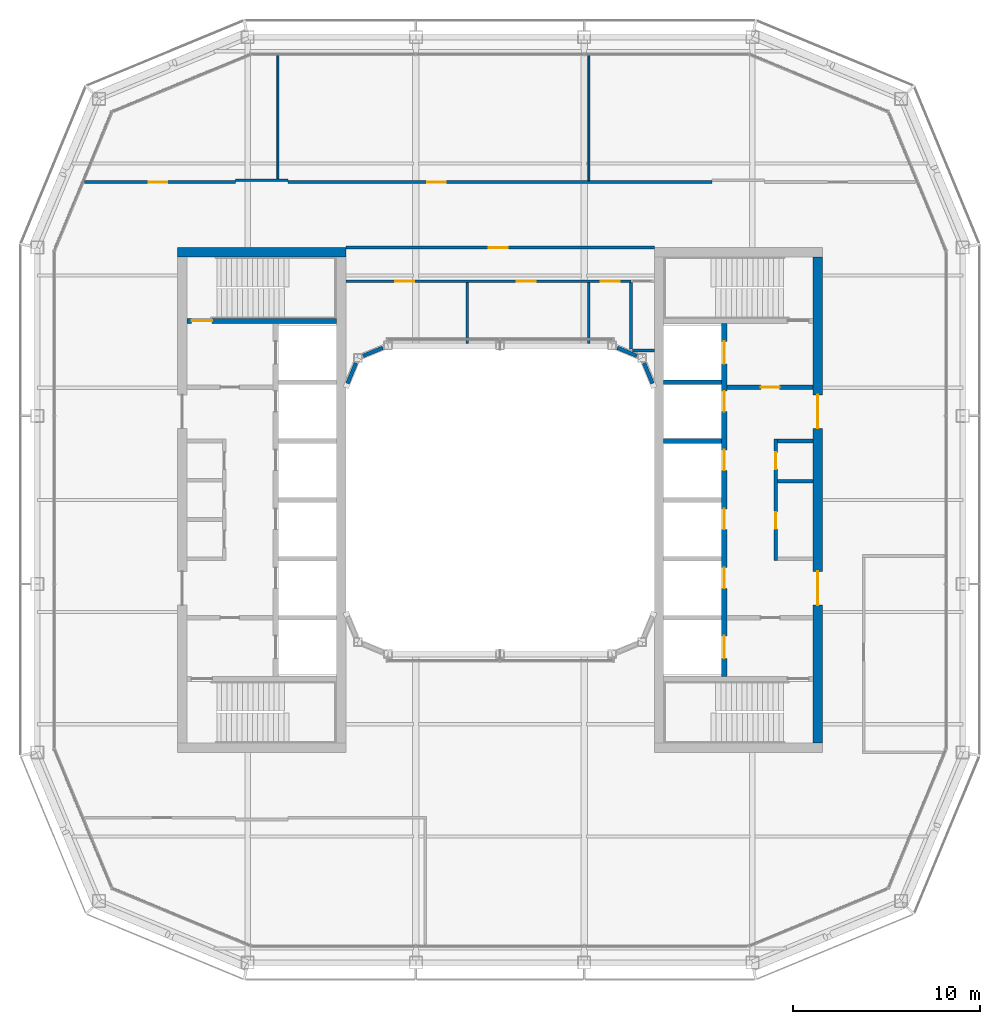
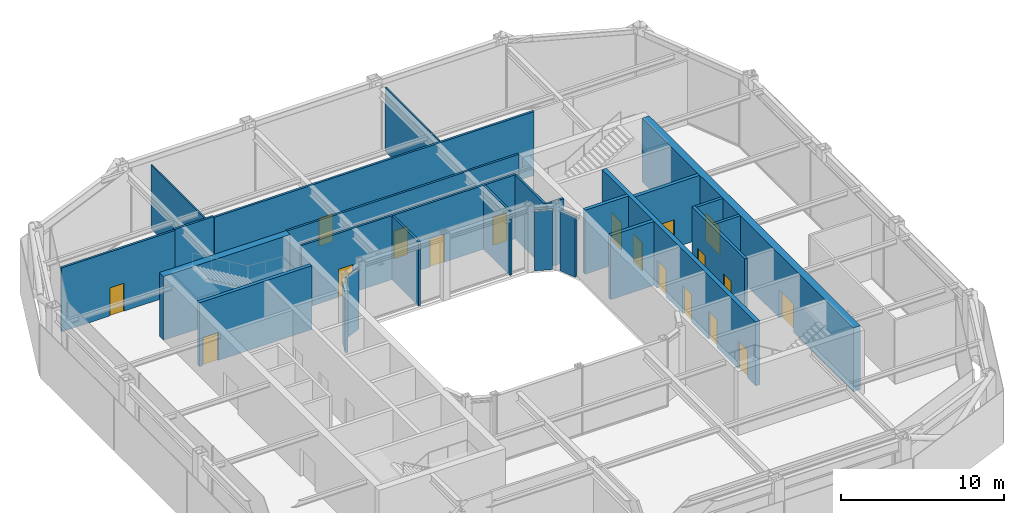
# One storey, part 12 of 17: 25 walls, 18 doors, 18 openings.
"""IFC4 building model written with IfcOpenShell, lengths in metres."""

from ifc_helpers import new_model, si_unit, direction, frame, frame_2d, origin, place, context, subcontext, project, spatial, rectangle, extrude, material, layer, layer_set, type_object, element, fill, save


model = new_model("IFC4")

# Units and contexts
model_context = context("Model", 3, precision=1e-05, world=origin(), true_north=direction((0.0, 1.0)))
body_context = subcontext(model_context, "Body", "Model", "MODEL_VIEW")
ifc_project = project(units=[si_unit("LENGTHUNIT", "METRE"), si_unit("AREAUNIT", "SQUARE_METRE"), si_unit("VOLUMEUNIT", "CUBIC_METRE"), si_unit("PLANEANGLEUNIT", "RADIAN"), si_unit("MASSUNIT", "GRAM", prefix="KILO")], contexts=[model_context])

# Site, building, storey
site_placement = place(None, origin())
site = spatial("IfcSite", under=ifc_project, at=site_placement, CompositionType="ELEMENT")
building_placement = place(site_placement, origin())
building = spatial("IfcBuilding", under=site, at=building_placement, Name="Siwar Civic Tower", CompositionType="ELEMENT")
storey_placement = place(building_placement, frame((0.0, 0.0, 353.199951171875)))
storey = spatial("IfcBuildingStorey", under=building, at=storey_placement, Name="L76", CompositionType="ELEMENT", Elevation=353.199951171875)

# Walls
ifc_material_1 = material(Name="Gypsum board on steel studs", Category="steel")
ifc_layer_1 = layer(ifc_material_1, 0.14990234375)
ifc_layer_set_1 = layer_set([ifc_layer_1], Name="Gypsum board on steel studs")
wall_type_1 = type_object("IfcWallType", Name="COMPARTMENT PARTITION 150 EI 60", PredefinedType="PARTITIONING", material=ifc_layer_set_1)
wall_1_placement = place(storey_placement, frame((7.0849609375, 7.9951171875, 0.0), z_axis=(0.0, 0.0, 1.0), x_axis=(1.0, 0.0, 0.0)))
element("IfcWall", 1, at=wall_1_placement, inside=storey, type_object=wall_type_1, Name="L76/wall/P06", PredefinedType="PARTITIONING", context=body_context, shape_type="SweptSolid", body=[
    extrude(rectangle(XDim=1.1650390625, YDim=0.14990234375, at=frame_2d((0.58251953125, 0.0))), origin(), (0.0, 0.0, 1.0), 4.800048828125),
])
wall_2_placement = place(storey_placement, frame((7.0, 8.070068359375, 0.0), z_axis=(0.0, 0.0, 1.0), x_axis=(0.0, 1.0, 0.0)))
element("IfcWall", 2, at=wall_2_placement, inside=storey, type_object=wall_type_1, Name="L76/wall/P20", PredefinedType="PARTITIONING", context=body_context, shape_type="SweptSolid", body=[
    extrude(rectangle(XDim=3.554931640625, YDim=0.14990234375, at=frame_2d((1.77734375, 0.0))), origin(), (0.0, 0.0, 1.0), 4.800048828125),
])

# Wall, openings, doors
ifc_material_2 = material(Name="Gypsum board on steel studs", Category="steel")
ifc_layer_2 = layer(ifc_material_2, 0.199951171875)
ifc_layer_set_2 = layer_set([ifc_layer_2], Name="Gypsum board on steel studs")
wall_type_2 = type_object("IfcWallType", Name="CORE-PARTITION-200", PredefinedType="PARTITIONING", material=ifc_layer_set_2)
wall_3_placement = place(storey_placement, frame((14.75, -3.25, 0.0), z_axis=(0.0, 0.0, 1.0), x_axis=(0.0, 1.0, 0.0)))
wall_3 = element("IfcWall", 3, at=wall_3_placement, inside=storey, type_object=wall_type_2, Name="Core partition E", PredefinedType="PARTITIONING", context=body_context, shape_type="SweptSolid", body=[
    extrude(rectangle(XDim=6.5, YDim=0.199951171875, at=frame_2d((3.25, 0.0))), origin(), (0.0, 0.0, 1.0), 4.800048828125),
])
opening_1_placement = place(wall_3_placement, frame((1.699951171875, 0.0, 0.0)))
opening_1 = element("IfcOpeningElement", 4, at=opening_1_placement, cuts=wall_3, Name="Opening L76-CE13", PredefinedType="OPENING", context=body_context, shape_type="SweptSolid", body=[
    extrude(rectangle(XDim=0.89990234375, YDim=2.10009765625, at=frame_2d((0.449951171875, 1.050048828125))), frame((0.0, 0.10986328125, 0.0), z_axis=(0.0, -1.0, 0.0), x_axis=(1.0, 0.0, 0.0)), (0.0, 0.0, 1.0), 0.219970703125),
])
opening_2_placement = place(wall_3_placement, frame((4.89990234375, 0.0, 0.0)))
opening_2 = element("IfcOpeningElement", 5, at=opening_2_placement, cuts=wall_3, Name="Opening L76-CE14", PredefinedType="OPENING", context=body_context, shape_type="SweptSolid", body=[
    extrude(rectangle(XDim=0.89990234375, YDim=2.10009765625, at=frame_2d((0.449951171875, 1.050048828125))), frame((0.0, 0.10986328125, 0.0), z_axis=(0.0, -1.0, 0.0), x_axis=(1.0, 0.0, 0.0)), (0.0, 0.0, 1.0), 0.219970703125),
])
ifc_material_3 = material(Name="Steel door leaf", Category="steel")
door_type_1 = type_object("IfcDoorType", Name="CORE-DOOR-ROOM", OperationType="SINGLE_SWING_LEFT", PredefinedType="DOOR", material=ifc_material_3)
door_1_placement = place(opening_1_placement, origin())
door_1 = element("IfcDoor", 6, at=door_1_placement, inside=storey, type_object=door_type_1, Name="Core room door L76-CE13", OperationType="SINGLE_SWING_LEFT", OverallHeight=2.10009765625, OverallWidth=0.89990234375, PredefinedType="DOOR", context=body_context, shape_type="SweptSolid", body=[
    extrude(rectangle(XDim=0.89990234375, YDim=2.10009765625, at=frame_2d((0.449951171875, 1.050048828125))), frame((0.0, 0.02490234375, 0.0), z_axis=(0.0, -1.0, 0.0), x_axis=(1.0, 0.0, 0.0)), (0.0, 0.0, 1.0), 0.050048828125),
])
fill(opening_1, door_1)
door_2_placement = place(opening_2_placement, origin())
door_2 = element("IfcDoor", 7, at=door_2_placement, inside=storey, type_object=door_type_1, Name="Core room door L76-CE14", OperationType="SINGLE_SWING_RIGHT", OverallHeight=2.10009765625, OverallWidth=0.89990234375, PredefinedType="DOOR", context=body_context, shape_type="SweptSolid", body=[
    extrude(rectangle(XDim=0.89990234375, YDim=2.10009765625, at=frame_2d((0.449951171875, 1.050048828125))), frame((0.0, 0.02490234375, 0.0), z_axis=(0.0, -1.0, 0.0), x_axis=(1.0, 0.0, 0.0)), (0.0, 0.0, 1.0), 0.050048828125),
])
fill(opening_2, door_2)

# Walls
for number, where, z_axis, x_axis, name in (
    (8, (14.85009765625, 3.14990234375, 0.0), (0.0, 0.0, 1.0), (1.0, 0.0, 0.0), "Core partition E"),
    (9, (14.85009765625, 1.0, 0.0), (0.0, 0.0, 1.0), (1.0, 0.0, 0.0), "Core partition E"),
):
    element("IfcWall", number, at=place(storey_placement, frame(where, z_axis=z_axis, x_axis=x_axis)), inside=storey, type_object=wall_type_2, Name=name, PredefinedType="PARTITIONING", context=body_context, shape_type="SweptSolid", body=[
        extrude(rectangle(XDim=1.89990234375, YDim=0.199951171875, at=frame_2d((0.949951171875, 0.0))), origin(), (0.0, 0.0, 1.0), 4.800048828125),
    ])

# Wall, opening, door
ifc_material_4 = material(Name="Concrete C60/75", Category="concrete")
ifc_layer_3 = layer(ifc_material_4, 0.25)
ifc_layer_set_3 = layer_set([ifc_layer_3], Name="Concrete C60/75")
wall_type_3 = type_object("IfcWallType", Name="CORE-WALL-RC250", PredefinedType="SHEAR", material=ifc_layer_set_3)
wall_4_placement = place(storey_placement, frame((-8.75, 9.574951171875, 0.0), z_axis=(0.0, 0.0, 1.0), x_axis=(-1.0, 0.0, 0.0)))
wall_4 = element("IfcWall", 10, at=wall_4_placement, inside=storey, type_object=wall_type_3, Name="Core wall W", PredefinedType="SHEAR", context=body_context, shape_type="SweptSolid", body=[
    extrude(rectangle(XDim=8.0, YDim=0.25, at=frame_2d((4.0, 0.0))), origin(), (0.0, 0.0, 1.0), 4.800048828125),
])
opening_3_placement = place(wall_4_placement, frame((6.64990234375, 0.0, 0.0)))
opening_3 = element("IfcOpeningElement", 11, at=opening_3_placement, cuts=wall_4, Name="Opening L76-CW03", PredefinedType="OPENING", context=body_context, shape_type="SweptSolid", body=[
    extrude(rectangle(XDim=1.10009765625, YDim=2.10009765625, at=frame_2d((0.550048828125, 1.050048828125))), frame((0.0, 0.135009765625, 0.0), z_axis=(0.0, -1.0, 0.0), x_axis=(1.0, 0.0, 0.0)), (0.0, 0.0, 1.0), 0.27001953125),
])
ifc_material_5 = material(Name="Steel door leaf", Category="steel")
door_type_2 = type_object("IfcDoorType", Name="CORE-DOOR-FD60S", OperationType="SINGLE_SWING_LEFT", PredefinedType="DOOR", material=ifc_material_5)
door_3_placement = place(opening_3_placement, origin())
door_3 = element("IfcDoor", 12, at=door_3_placement, inside=storey, type_object=door_type_2, Name="Stair door L76-CW03", OperationType="SINGLE_SWING_RIGHT", OverallHeight=2.10009765625, OverallWidth=1.10009765625, PredefinedType="DOOR", context=body_context, shape_type="SweptSolid", body=[
    extrude(rectangle(XDim=1.10009765625, YDim=2.10009765625, at=frame_2d((0.550048828125, 1.050048828125))), frame((0.0, 0.02490234375, 0.0), z_axis=(0.0, -1.0, 0.0), x_axis=(1.0, 0.0, 0.0)), (0.0, 0.0, 1.0), 0.050048828125),
])
fill(opening_3, door_3)

wall_5_placement = place(storey_placement, frame((12.14990234375, 6.02490234375, 0.0), z_axis=(0.0, 0.0, 1.0), x_axis=(1.0, 0.0, 0.0)))
wall_5 = element("IfcWall", 13, at=wall_5_placement, inside=storey, type_object=wall_type_3, Name="Core wall E", PredefinedType="SHEAR", context=body_context, shape_type="SweptSolid", body=[
    extrude(rectangle(XDim=4.60009765625, YDim=0.25, at=frame_2d((2.300048828125, 0.0))), origin(), (0.0, 0.0, 1.0), 4.800048828125),
])
opening_4_placement = place(wall_5_placement, frame((1.800048828125, 0.0, 0.0)))
opening_4 = element("IfcOpeningElement", 14, at=opening_4_placement, cuts=wall_5, Name="Opening L76-CE01", PredefinedType="OPENING", context=body_context, shape_type="SweptSolid", body=[
    extrude(rectangle(XDim=1.0, YDim=2.10009765625, at=frame_2d((0.5, 1.050048828125))), frame((0.0, 0.135009765625, 0.0), z_axis=(0.0, -1.0, 0.0), x_axis=(1.0, 0.0, 0.0)), (0.0, 0.0, 1.0), 0.27001953125),
])
ifc_material_6 = material(Name="Steel door leaf", Category="steel")
door_type_3 = type_object("IfcDoorType", Name="CORE-DOOR-FD30S", OperationType="SINGLE_SWING_LEFT", PredefinedType="DOOR", material=ifc_material_6)
door_4_placement = place(opening_4_placement, origin())
door_4 = element("IfcDoor", 15, at=door_4_placement, inside=storey, type_object=door_type_3, Name="Firefighting lobby door L76-CE01", OperationType="SINGLE_SWING_RIGHT", OverallHeight=2.10009765625, OverallWidth=1.0, PredefinedType="DOOR", context=body_context, shape_type="SweptSolid", body=[
    extrude(rectangle(XDim=1.0, YDim=2.10009765625, at=frame_2d((0.5, 1.050048828125))), frame((0.0, 0.02490234375, 0.0), z_axis=(0.0, -1.0, 0.0), x_axis=(1.0, 0.0, 0.0)), (0.0, 0.0, 1.0), 0.050048828125),
])
fill(opening_4, door_4)

# Walls
for number, where, z_axis, x_axis, name in (
    (16, (8.75, 3.14990234375, 0.0), (0.0, 0.0, 1.0), (1.0, 0.0, 0.0), "Core wall E"),
    (17, (8.75, 6.300048828125, 0.0), (0.0, 0.0, 1.0), (1.0, 0.0, 0.0), "Core wall E"),
):
    element("IfcWall", number, at=place(storey_placement, frame(where, z_axis=z_axis, x_axis=x_axis)), inside=storey, type_object=wall_type_3, Name=name, PredefinedType="SHEAR", context=body_context, shape_type="SweptSolid", body=[
        extrude(rectangle(XDim=3.10009765625, YDim=0.25, at=frame_2d((1.550048828125, 0.0))), origin(), (0.0, 0.0, 1.0), 4.800048828125),
    ])

# Wall, openings, doors
ifc_material_7 = material(Name="Concrete C60/75", Category="concrete")
ifc_layer_4 = layer(ifc_material_7, 0.300048828125)
ifc_layer_set_4 = layer_set([ifc_layer_4], Name="Concrete C60/75")
wall_type_4 = type_object("IfcWallType", Name="CORE-WALL-RC300", PredefinedType="SHEAR", material=ifc_layer_set_4)
wall_6_placement = place(storey_placement, frame((12.0, -9.449951171875, 0.0), z_axis=(0.0, 0.0, 1.0), x_axis=(0.0, 1.0, 0.0)))
wall_6 = element("IfcWall", 18, at=wall_6_placement, inside=storey, type_object=wall_type_4, Name="Core wall E", PredefinedType="SHEAR", context=body_context, shape_type="SweptSolid", body=[
    extrude(rectangle(XDim=18.89990234375, YDim=0.300048828125, at=frame_2d((9.449951171875, 0.0))), origin(), (0.0, 0.0, 1.0), 4.800048828125),
])
opening_5_placement = place(wall_6_placement, frame((4.72509765625, 0.0, 0.0)))
opening_5 = element("IfcOpeningElement", 19, at=opening_5_placement, cuts=wall_6, Name="Opening L76-CE07", PredefinedType="OPENING", context=body_context, shape_type="SweptSolid", body=[
    extrude(rectangle(XDim=1.10009765625, YDim=2.10009765625, at=frame_2d((0.550048828125, 1.050048828125))), frame((0.0, 0.16015625, 0.0), z_axis=(0.0, -1.0, 0.0), x_axis=(1.0, 0.0, 0.0)), (0.0, 0.0, 1.0), 0.320068359375),
])
opening_6_placement = place(wall_6_placement, frame((7.875, 0.0, 0.0)))
opening_6 = element("IfcOpeningElement", 20, at=opening_6_placement, cuts=wall_6, Name="Opening L76-CE08", PredefinedType="OPENING", context=body_context, shape_type="SweptSolid", body=[
    extrude(rectangle(XDim=1.10009765625, YDim=2.10009765625, at=frame_2d((0.550048828125, 1.050048828125))), frame((0.0, 0.16015625, 0.0), z_axis=(0.0, -1.0, 0.0), x_axis=(1.0, 0.0, 0.0)), (0.0, 0.0, 1.0), 0.320068359375),
])
opening_7_placement = place(wall_6_placement, frame((11.02490234375, 0.0, 0.0)))
opening_7 = element("IfcOpeningElement", 21, at=opening_7_placement, cuts=wall_6, Name="Opening L76-CE09", PredefinedType="OPENING", context=body_context, shape_type="SweptSolid", body=[
    extrude(rectangle(XDim=1.10009765625, YDim=2.10009765625, at=frame_2d((0.550048828125, 1.050048828125))), frame((0.0, 0.16015625, 0.0), z_axis=(0.0, -1.0, 0.0), x_axis=(1.0, 0.0, 0.0)), (0.0, 0.0, 1.0), 0.320068359375),
])
opening_8_placement = place(wall_6_placement, frame((14.175048828125, 0.0, 0.0)))
opening_8 = element("IfcOpeningElement", 22, at=opening_8_placement, cuts=wall_6, Name="Opening L76-CE10", PredefinedType="OPENING", context=body_context, shape_type="SweptSolid", body=[
    extrude(rectangle(XDim=1.10009765625, YDim=2.10009765625, at=frame_2d((0.550048828125, 1.050048828125))), frame((0.0, 0.16015625, 0.0), z_axis=(0.0, -1.0, 0.0), x_axis=(1.0, 0.0, 0.0)), (0.0, 0.0, 1.0), 0.320068359375),
])
opening_9_placement = place(wall_6_placement, frame((16.72509765625, 0.0, 0.0)))
opening_9 = element("IfcOpeningElement", 23, at=opening_9_placement, cuts=wall_6, Name="Opening L76-CE11", PredefinedType="OPENING", context=body_context, shape_type="SweptSolid", body=[
    extrude(rectangle(XDim=1.199951171875, YDim=2.10009765625, at=frame_2d((0.60009765625, 1.050048828125))), frame((0.0, 0.16015625, 0.0), z_axis=(0.0, -1.0, 0.0), x_axis=(1.0, 0.0, 0.0)), (0.0, 0.0, 1.0), 0.320068359375),
])
opening_10_placement = place(wall_6_placement, frame((0.97509765625, 0.0, 0.0)))
opening_10 = element("IfcOpeningElement", 24, at=opening_10_placement, cuts=wall_6, Name="Opening L76-CE12", PredefinedType="OPENING", context=body_context, shape_type="SweptSolid", body=[
    extrude(rectangle(XDim=1.199951171875, YDim=2.10009765625, at=frame_2d((0.60009765625, 1.050048828125))), frame((0.0, 0.16015625, 0.0), z_axis=(0.0, -1.0, 0.0), x_axis=(1.0, 0.0, 0.0)), (0.0, 0.0, 1.0), 0.320068359375),
])
ifc_material_8 = material(Name="Steel door leaf", Category="steel")
door_type_4 = type_object("IfcDoorType", Name="CORE-DOOR-LD", OperationType="DOUBLE_DOOR_SLIDING", PredefinedType="DOOR", material=ifc_material_8)
door_5_placement = place(opening_5_placement, origin())
door_5 = element("IfcDoor", 25, at=door_5_placement, inside=storey, type_object=door_type_4, Name="Landing door HR5 L76-CE07", OperationType="DOUBLE_DOOR_SLIDING", OverallHeight=2.10009765625, OverallWidth=1.10009765625, PredefinedType="DOOR", context=body_context, shape_type="SweptSolid", body=[
    extrude(rectangle(XDim=1.10009765625, YDim=2.10009765625, at=frame_2d((0.550048828125, 1.050048828125))), frame((0.0, 0.02490234375, 0.0), z_axis=(0.0, -1.0, 0.0), x_axis=(1.0, 0.0, 0.0)), (0.0, 0.0, 1.0), 0.050048828125),
])
fill(opening_5, door_5)
door_6_placement = place(opening_6_placement, origin())
door_6 = element("IfcDoor", 26, at=door_6_placement, inside=storey, type_object=door_type_4, Name="Landing door HR6 L76-CE08", OperationType="DOUBLE_DOOR_SLIDING", OverallHeight=2.10009765625, OverallWidth=1.10009765625, PredefinedType="DOOR", context=body_context, shape_type="SweptSolid", body=[
    extrude(rectangle(XDim=1.10009765625, YDim=2.10009765625, at=frame_2d((0.550048828125, 1.050048828125))), frame((0.0, 0.02490234375, 0.0), z_axis=(0.0, -1.0, 0.0), x_axis=(1.0, 0.0, 0.0)), (0.0, 0.0, 1.0), 0.050048828125),
])
fill(opening_6, door_6)
door_7_placement = place(opening_7_placement, origin())
door_7 = element("IfcDoor", 27, at=door_7_placement, inside=storey, type_object=door_type_4, Name="Landing door HR7 L76-CE09", OperationType="DOUBLE_DOOR_SLIDING", OverallHeight=2.10009765625, OverallWidth=1.10009765625, PredefinedType="DOOR", context=body_context, shape_type="SweptSolid", body=[
    extrude(rectangle(XDim=1.10009765625, YDim=2.10009765625, at=frame_2d((0.550048828125, 1.050048828125))), frame((0.0, 0.02490234375, 0.0), z_axis=(0.0, -1.0, 0.0), x_axis=(1.0, 0.0, 0.0)), (0.0, 0.0, 1.0), 0.050048828125),
])
fill(opening_7, door_7)
door_8_placement = place(opening_8_placement, origin())
door_8 = element("IfcDoor", 28, at=door_8_placement, inside=storey, type_object=door_type_4, Name="Landing door HR8 L76-CE10", OperationType="DOUBLE_DOOR_SLIDING", OverallHeight=2.10009765625, OverallWidth=1.10009765625, PredefinedType="DOOR", context=body_context, shape_type="SweptSolid", body=[
    extrude(rectangle(XDim=1.10009765625, YDim=2.10009765625, at=frame_2d((0.550048828125, 1.050048828125))), frame((0.0, 0.02490234375, 0.0), z_axis=(0.0, -1.0, 0.0), x_axis=(1.0, 0.0, 0.0)), (0.0, 0.0, 1.0), 0.050048828125),
])
fill(opening_8, door_8)
ifc_material_9 = material(Name="Steel door leaf", Category="steel")
door_type_5 = type_object("IfcDoorType", Name="CORE-DOOR-LDW", OperationType="DOUBLE_DOOR_SLIDING", PredefinedType="DOOR", material=ifc_material_9)
door_9_placement = place(opening_9_placement, origin())
door_9 = element("IfcDoor", 29, at=door_9_placement, inside=storey, type_object=door_type_5, Name="Landing door FF2 L76-CE11", OperationType="DOUBLE_DOOR_SLIDING", OverallHeight=2.10009765625, OverallWidth=1.199951171875, PredefinedType="DOOR", context=body_context, shape_type="SweptSolid", body=[
    extrude(rectangle(XDim=1.199951171875, YDim=2.10009765625, at=frame_2d((0.60009765625, 1.050048828125))), frame((0.0, 0.02490234375, 0.0), z_axis=(0.0, -1.0, 0.0), x_axis=(1.0, 0.0, 0.0)), (0.0, 0.0, 1.0), 0.050048828125),
])
fill(opening_9, door_9)
door_10_placement = place(opening_10_placement, origin())
door_10 = element("IfcDoor", 30, at=door_10_placement, inside=storey, type_object=door_type_5, Name="Landing door SV2 L76-CE12", OperationType="DOUBLE_DOOR_SLIDING", OverallHeight=2.10009765625, OverallWidth=1.199951171875, PredefinedType="DOOR", context=body_context, shape_type="SweptSolid", body=[
    extrude(rectangle(XDim=1.199951171875, YDim=2.10009765625, at=frame_2d((0.60009765625, 1.050048828125))), frame((0.0, 0.02490234375, 0.0), z_axis=(0.0, -1.0, 0.0), x_axis=(1.0, 0.0, 0.0)), (0.0, 0.0, 1.0), 0.050048828125),
])
fill(opening_10, door_10)

# Wall
ifc_material_10 = material(Name="Concrete C60/75", Category="concrete")
ifc_layer_5 = layer(ifc_material_10, 0.5)
ifc_layer_set_5 = layer_set([ifc_layer_5], Name="Concrete C60/75")
wall_type_5 = type_object("IfcWallType", Name="CORE-WALL-RC500", PredefinedType="SHEAR", material=ifc_layer_set_5)
wall_7_placement = place(storey_placement, frame((-8.25, 13.25, 0.0), z_axis=(0.0, 0.0, 1.0), x_axis=(-1.0, 0.0, 0.0)))
element("IfcWall", 31, at=wall_7_placement, inside=storey, type_object=wall_type_5, Name="Core wall W", PredefinedType="SHEAR", context=body_context, shape_type="SweptSolid", body=[
    extrude(rectangle(XDim=9.0, YDim=0.5, at=frame_2d((4.5, 0.0))), origin(), (0.0, 0.0, 1.0), 4.800048828125),
])

# Wall, openings, doors
wall_8_placement = place(storey_placement, frame((17.0, -13.0, 0.0), z_axis=(0.0, 0.0, 1.0), x_axis=(0.0, 1.0, 0.0)))
wall_8 = element("IfcWall", 32, at=wall_8_placement, inside=storey, type_object=wall_type_5, Name="Core wall E", PredefinedType="SHEAR", context=body_context, shape_type="SweptSolid", body=[
    extrude(rectangle(XDim=26.0, YDim=0.5, at=frame_2d((13.0, 0.0))), origin(), (0.0, 0.0, 1.0), 4.800048828125),
])
opening_11_placement = place(wall_8_placement, frame((16.824951171875, 0.0, 0.0)))
opening_11 = element("IfcOpeningElement", 33, at=opening_11_placement, cuts=wall_8, Name="Opening L76-CE05", PredefinedType="OPENING", context=body_context, shape_type="SweptSolid", body=[
    extrude(rectangle(XDim=1.800048828125, YDim=2.10009765625, at=frame_2d((0.89990234375, 1.050048828125))), frame((0.0, 0.260009765625, 0.0), z_axis=(0.0, -1.0, 0.0), x_axis=(1.0, 0.0, 0.0)), (0.0, 0.0, 1.0), 0.52001953125),
])
opening_12_placement = place(wall_8_placement, frame((7.375, 0.0, 0.0)))
opening_12 = element("IfcOpeningElement", 34, at=opening_12_placement, cuts=wall_8, Name="Opening L76-CE06", PredefinedType="OPENING", context=body_context, shape_type="SweptSolid", body=[
    extrude(rectangle(XDim=1.800048828125, YDim=2.10009765625, at=frame_2d((0.89990234375, 1.050048828125))), frame((0.0, 0.260009765625, 0.0), z_axis=(0.0, -1.0, 0.0), x_axis=(1.0, 0.0, 0.0)), (0.0, 0.0, 1.0), 0.52001953125),
])
ifc_material_11 = material(Name="Steel door leaf", Category="steel")
door_type_6 = type_object("IfcDoorType", Name="CORE-DOOR-PORT", OperationType="DOUBLE_DOOR_DOUBLE_SWING", PredefinedType="DOOR", material=ifc_material_11)
door_11_placement = place(opening_11_placement, origin())
door_11 = element("IfcDoor", 35, at=door_11_placement, inside=storey, type_object=door_type_6, Name="Core entrance door L76-CE05", OperationType="DOUBLE_DOOR_DOUBLE_SWING", OverallHeight=2.10009765625, OverallWidth=1.800048828125, PredefinedType="DOOR", context=body_context, shape_type="SweptSolid", body=[
    extrude(rectangle(XDim=1.800048828125, YDim=2.10009765625, at=frame_2d((0.89990234375, 1.050048828125))), frame((0.0, 0.02490234375, 0.0), z_axis=(0.0, -1.0, 0.0), x_axis=(1.0, 0.0, 0.0)), (0.0, 0.0, 1.0), 0.050048828125),
])
fill(opening_11, door_11)
door_12_placement = place(opening_12_placement, origin())
door_12 = element("IfcDoor", 36, at=door_12_placement, inside=storey, type_object=door_type_6, Name="Core entrance door L76-CE06", OperationType="DOUBLE_DOOR_DOUBLE_SWING", OverallHeight=2.10009765625, OverallWidth=1.800048828125, PredefinedType="DOOR", context=body_context, shape_type="SweptSolid", body=[
    extrude(rectangle(XDim=1.800048828125, YDim=2.10009765625, at=frame_2d((0.89990234375, 1.050048828125))), frame((0.0, 0.02490234375, 0.0), z_axis=(0.0, -1.0, 0.0), x_axis=(1.0, 0.0, 0.0)), (0.0, 0.0, 1.0), 0.050048828125),
])
fill(opening_12, door_12)

ifc_material_12 = material(Name="Gypsum board on steel studs", Category="steel")
ifc_layer_6 = layer(ifc_material_12, 0.14990234375)
ifc_layer_set_6 = layer_set([ifc_layer_6], Name="Gypsum board on steel studs")
wall_type_6 = type_object("IfcWallType", Name="CORRIDOR PARTITION 150 EI 30", PredefinedType="PARTITIONING", material=ifc_layer_set_6)
wall_9_placement = place(storey_placement, frame((-8.25, 11.699951171875, 0.0), z_axis=(0.0, 0.0, 1.0), x_axis=(1.0, 0.0, 0.0)))
wall_9 = element("IfcWall", 37, at=wall_9_placement, inside=storey, type_object=wall_type_6, Name="L76/wall/P07", PredefinedType="PARTITIONING", context=body_context, shape_type="SweptSolid", body=[
    extrude(rectangle(XDim=15.25, YDim=0.14990234375, at=frame_2d((7.625, 0.0))), origin(), (0.0, 0.0, 1.0), 4.800048828125),
])
opening_13_placement = place(wall_9_placement, frame((2.64990234375, 0.0, 0.0)))
opening_13 = element("IfcOpeningElement", 38, at=opening_13_placement, cuts=wall_9, Name="Opening D3", PredefinedType="OPENING", context=body_context, shape_type="SweptSolid", body=[
    extrude(rectangle(XDim=1.0, YDim=2.10009765625, at=frame_2d((0.5, 1.050048828125))), frame((0.0, 0.0849609375, 0.0), z_axis=(0.0, -1.0, 0.0), x_axis=(1.0, 0.0, 0.0)), (0.0, 0.0, 1.0), 0.169921875),
])
opening_14_placement = place(wall_9_placement, frame((9.14990234375, 0.0, 0.0)))
opening_14 = element("IfcOpeningElement", 39, at=opening_14_placement, cuts=wall_9, Name="Opening D3", PredefinedType="OPENING", context=body_context, shape_type="SweptSolid", body=[
    extrude(rectangle(XDim=1.0, YDim=2.10009765625, at=frame_2d((0.5, 1.050048828125))), frame((0.0, 0.0849609375, 0.0), z_axis=(0.0, -1.0, 0.0), x_axis=(1.0, 0.0, 0.0)), (0.0, 0.0, 1.0), 0.169921875),
])
opening_15_placement = place(wall_9_placement, frame((13.64990234375, 0.0, 0.0)))
opening_15 = element("IfcOpeningElement", 40, at=opening_15_placement, cuts=wall_9, Name="Opening D3", PredefinedType="OPENING", context=body_context, shape_type="SweptSolid", body=[
    extrude(rectangle(XDim=1.0, YDim=2.10009765625, at=frame_2d((0.5, 1.050048828125))), frame((0.0, 0.0849609375, 0.0), z_axis=(0.0, -1.0, 0.0), x_axis=(1.0, 0.0, 0.0)), (0.0, 0.0, 1.0), 0.169921875),
])
ifc_material_13 = material(Name="Timber, painted", Category="wood")
door_type_7 = type_object("IfcDoorType", Name="DOOR 1000 X 2100 WC", OperationType="SINGLE_SWING_LEFT", PredefinedType="DOOR", material=ifc_material_13)
door_13_placement = place(opening_13_placement, origin())
door_13 = element("IfcDoor", 41, at=door_13_placement, inside=storey, type_object=door_type_7, Name="L76-D05", OperationType="SINGLE_SWING_LEFT", OverallHeight=2.10009765625, OverallWidth=1.0, PredefinedType="DOOR", context=body_context, shape_type="SweptSolid", body=[
    extrude(rectangle(XDim=1.0, YDim=2.10009765625, at=frame_2d((0.5, 1.050048828125))), frame((0.0, 0.02490234375, 0.0), z_axis=(0.0, -1.0, 0.0), x_axis=(1.0, 0.0, 0.0)), (0.0, 0.0, 1.0), 0.050048828125),
])
fill(opening_13, door_13)
door_14_placement = place(opening_14_placement, origin())
door_14 = element("IfcDoor", 42, at=door_14_placement, inside=storey, type_object=door_type_7, Name="L76-D06", OperationType="SINGLE_SWING_RIGHT", OverallHeight=2.10009765625, OverallWidth=1.0, PredefinedType="DOOR", context=body_context, shape_type="SweptSolid", body=[
    extrude(rectangle(XDim=1.0, YDim=2.10009765625, at=frame_2d((0.5, 1.050048828125))), frame((0.0, 0.02490234375, 0.0), z_axis=(0.0, -1.0, 0.0), x_axis=(1.0, 0.0, 0.0)), (0.0, 0.0, 1.0), 0.050048828125),
])
fill(opening_14, door_14)
door_15_placement = place(opening_15_placement, origin())
door_15 = element("IfcDoor", 43, at=door_15_placement, inside=storey, type_object=door_type_7, Name="L76-D07", OperationType="SINGLE_SWING_LEFT", OverallHeight=2.10009765625, OverallWidth=1.0, PredefinedType="DOOR", context=body_context, shape_type="SweptSolid", body=[
    extrude(rectangle(XDim=1.0, YDim=2.10009765625, at=frame_2d((0.5, 1.050048828125))), frame((0.0, 0.02490234375, 0.0), z_axis=(0.0, -1.0, 0.0), x_axis=(1.0, 0.0, 0.0)), (0.0, 0.0, 1.0), 0.050048828125),
])
fill(opening_15, door_15)

# Wall, opening, door
wall_10_placement = place(storey_placement, frame((-8.25, 13.5, 0.0), z_axis=(0.0, 0.0, 1.0), x_axis=(1.0, 0.0, 0.0)))
wall_10 = element("IfcWall", 44, at=wall_10_placement, inside=storey, type_object=wall_type_6, Name="L76/wall/P09", PredefinedType="PARTITIONING", context=body_context, shape_type="SweptSolid", body=[
    extrude(rectangle(XDim=16.5, YDim=0.14990234375, at=frame_2d((8.25, 0.0))), origin(), (0.0, 0.0, 1.0), 4.800048828125),
])
opening_16_placement = place(wall_10_placement, frame((7.64990234375, 0.0, 0.0)))
opening_16 = element("IfcOpeningElement", 45, at=opening_16_placement, cuts=wall_10, Name="Opening D1", PredefinedType="OPENING", context=body_context, shape_type="SweptSolid", body=[
    extrude(rectangle(XDim=1.0, YDim=2.10009765625, at=frame_2d((0.5, 1.050048828125))), frame((0.0, 0.0849609375, 0.0), z_axis=(0.0, -1.0, 0.0), x_axis=(1.0, 0.0, 0.0)), (0.0, 0.0, 1.0), 0.169921875),
])
ifc_material_14 = material(Name="Timber, painted", Category="wood")
door_type_8 = type_object("IfcDoorType", Name="DOOR 1000 X 2100 FD30", OperationType="SINGLE_SWING_LEFT", PredefinedType="DOOR", material=ifc_material_14)
door_16_placement = place(opening_16_placement, origin())
door_16 = element("IfcDoor", 46, at=door_16_placement, inside=storey, type_object=door_type_8, Name="L76-D04", OperationType="SINGLE_SWING_RIGHT", OverallHeight=2.10009765625, OverallWidth=1.0, PredefinedType="DOOR", context=body_context, shape_type="SweptSolid", body=[
    extrude(rectangle(XDim=1.0, YDim=2.10009765625, at=frame_2d((0.5, 1.050048828125))), frame((0.0, 0.02490234375, 0.0), z_axis=(0.0, -1.0, 0.0), x_axis=(1.0, 0.0, 0.0)), (0.0, 0.0, 1.0), 0.050048828125),
])
fill(opening_16, door_16)

wall_11_placement = place(storey_placement, frame((-22.22900390625, 17.0, 0.0), z_axis=(0.0, 0.0, 1.0), x_axis=(1.0, 0.0, 0.0)))
wall_11 = element("IfcWall", 47, at=wall_11_placement, inside=storey, type_object=wall_type_6, Name="L76/wall/P10", PredefinedType="PARTITIONING", context=body_context, shape_type="SweptSolid", body=[
    extrude(rectangle(XDim=8.0791015625, YDim=0.14990234375, at=frame_2d((4.03955078125, 0.0))), origin(), (0.0, 0.0, 1.0), 4.800048828125),
])
opening_17_placement = place(wall_11_placement, frame((3.428955078125, 0.0, 0.0)))
opening_17 = element("IfcOpeningElement", 48, at=opening_17_placement, cuts=wall_11, Name="Opening D1", PredefinedType="OPENING", context=body_context, shape_type="SweptSolid", body=[
    extrude(rectangle(XDim=1.0, YDim=2.10009765625, at=frame_2d((0.5, 1.050048828125))), frame((0.0, 0.0849609375, 0.0), z_axis=(0.0, -1.0, 0.0), x_axis=(1.0, 0.0, 0.0)), (0.0, 0.0, 1.0), 0.169921875),
])
door_17_placement = place(opening_17_placement, origin())
door_17 = element("IfcDoor", 49, at=door_17_placement, inside=storey, type_object=door_type_8, Name="L76-D01", OperationType="SINGLE_SWING_LEFT", OverallHeight=2.10009765625, OverallWidth=1.0, PredefinedType="DOOR", context=body_context, shape_type="SweptSolid", body=[
    extrude(rectangle(XDim=1.0, YDim=2.10009765625, at=frame_2d((0.5, 1.050048828125))), frame((0.0, 0.02490234375, 0.0), z_axis=(0.0, -1.0, 0.0), x_axis=(1.0, 0.0, 0.0)), (0.0, 0.0, 1.0), 0.050048828125),
])
fill(opening_17, door_17)

wall_12_placement = place(storey_placement, frame((-11.35009765625, 17.0, 0.0), z_axis=(0.0, 0.0, 1.0), x_axis=(1.0, 0.0, 0.0)))
wall_12 = element("IfcWall", 50, at=wall_12_placement, inside=storey, type_object=wall_type_6, Name="L76/wall/P11", PredefinedType="PARTITIONING", context=body_context, shape_type="SweptSolid", body=[
    extrude(rectangle(XDim=22.7001953125, YDim=0.14990234375, at=frame_2d((11.35009765625, 0.0))), origin(), (0.0, 0.0, 1.0), 4.800048828125),
])
opening_18_placement = place(wall_12_placement, frame((7.449951171875, 0.0, 0.0)))
opening_18 = element("IfcOpeningElement", 51, at=opening_18_placement, cuts=wall_12, Name="Opening D1", PredefinedType="OPENING", context=body_context, shape_type="SweptSolid", body=[
    extrude(rectangle(XDim=1.0, YDim=2.10009765625, at=frame_2d((0.5, 1.050048828125))), frame((0.0, 0.0849609375, 0.0), z_axis=(0.0, -1.0, 0.0), x_axis=(1.0, 0.0, 0.0)), (0.0, 0.0, 1.0), 0.169921875),
])
door_18_placement = place(opening_18_placement, origin())
door_18 = element("IfcDoor", 52, at=door_18_placement, inside=storey, type_object=door_type_8, Name="L76-D02", OperationType="SINGLE_SWING_RIGHT", OverallHeight=2.10009765625, OverallWidth=1.0, PredefinedType="DOOR", context=body_context, shape_type="SweptSolid", body=[
    extrude(rectangle(XDim=1.0, YDim=2.10009765625, at=frame_2d((0.5, 1.050048828125))), frame((0.0, 0.02490234375, 0.0), z_axis=(0.0, -1.0, 0.0), x_axis=(1.0, 0.0, 0.0)), (0.0, 0.0, 1.0), 0.050048828125),
])
fill(opening_18, door_18)

# Walls
wall_13_placement = place(storey_placement, frame((-14.14990234375, 17.10009765625, 0.0), z_axis=(0.0, 0.0, 1.0), x_axis=(1.0, 0.0, 0.0)))
element("IfcWall", 53, at=wall_13_placement, inside=storey, type_object=wall_type_6, Name="L76/wall/P13", PredefinedType="PARTITIONING", context=body_context, shape_type="SweptSolid", body=[
    extrude(rectangle(XDim=2.7998046875, YDim=0.14990234375, at=frame_2d((1.39990234375, 0.0))), origin(), (0.0, 0.0, 1.0), 4.800048828125),
])
for number, where, z_axis, x_axis, name in (
    (54, (-1.75, 8.3701171875, 0.0), (0.0, 0.0, 1.0), (0.0, 1.0, 0.0), "L76/wall/P17"),
    (55, (4.75, 8.3701171875, 0.0), (0.0, 0.0, 1.0), (0.0, 1.0, 0.0), "L76/wall/P19"),
):
    element("IfcWall", number, at=place(storey_placement, frame(where, z_axis=z_axis, x_axis=x_axis)), inside=storey, type_object=wall_type_6, Name=name, PredefinedType="PARTITIONING", context=body_context, shape_type="SweptSolid", body=[
        extrude(rectangle(XDim=3.2548828125, YDim=0.14990234375, at=frame_2d((1.62744140625, 0.0))), origin(), (0.0, 0.0, 1.0), 4.800048828125),
    ])
ifc_material_15 = material(Name="Aluminium clad insulated panel", Category="aluminium")
ifc_layer_7 = layer(ifc_material_15, 0.199951171875)
ifc_layer_set_7 = layer_set([ifc_layer_7], Name="Aluminium clad insulated panel")
wall_type_7 = type_object("IfcWallType", Name="ENV-WALL-WELL", PredefinedType="STANDARD", material=ifc_layer_set_7)
wall_14_placement = place(storey_placement, frame((8.154296875, 6.23095703125, 0.0), z_axis=(0.0, 0.0, 1.0), x_axis=(-0.382760542083, 0.92384758885, 0.0)))
element("IfcWall", 56, at=wall_14_placement, inside=storey, type_object=wall_type_7, Name="Light well corner wall NE1", PredefinedType="STANDARD", context=body_context, shape_type="SweptSolid", body=[
    extrude(rectangle(XDim=1.177978515625, YDim=0.199951171875, at=frame_2d((0.5888671875, 0.0))), origin(), (0.0, 0.0, 1.0), 4.4599609375),
])
for number, where, z_axis, x_axis, name in (
    (57, (7.3193359375, 7.703369140625, 0.0), (0.0, 0.0, 1.0), (-0.923864661962, 0.382719331074, 0.0), "Light well corner wall NE2"),
    (58, (-6.271484375, 8.137451171875, 0.0), (0.0, 0.0, 1.0), (-0.923864661962, -0.382719331074, 0.0), "Light well corner wall NW1"),
):
    element("IfcWall", number, at=place(storey_placement, frame(where, z_axis=z_axis, x_axis=x_axis)), inside=storey, type_object=wall_type_7, Name=name, PredefinedType="STANDARD", context=body_context, shape_type="SweptSolid", body=[
        extrude(rectangle(XDim=1.13427734375, YDim=0.199951171875, at=frame_2d((0.567138671875, 0.0))), origin(), (0.0, 0.0, 1.0), 4.4599609375),
    ])
wall_15_placement = place(storey_placement, frame((-7.703369140625, 7.3193359375, 0.0), z_axis=(0.0, 0.0, 1.0), x_axis=(-0.382760542083, -0.92384758885, 0.0)))
element("IfcWall", 59, at=wall_15_placement, inside=storey, type_object=wall_type_7, Name="Light well corner wall NW2", PredefinedType="STANDARD", context=body_context, shape_type="SweptSolid", body=[
    extrude(rectangle(XDim=1.177978515625, YDim=0.199951171875, at=frame_2d((0.5888671875, 0.0))), origin(), (0.0, 0.0, 1.0), 4.4599609375),
])
ifc_material_16 = material(Name="Gypsum board on steel studs", Category="steel")
ifc_layer_8 = layer(ifc_material_16, 0.10009765625)
ifc_layer_set_8 = layer_set([ifc_layer_8], Name="Gypsum board on steel studs")
wall_type_8 = type_object("IfcWallType", Name="PARTITION 100 GYPSUM", PredefinedType="PARTITIONING", material=ifc_layer_set_8)
wall_16_placement = place(storey_placement, frame((-11.8798828125, 17.175048828125, 0.0), z_axis=(0.0, 0.0, 1.0), x_axis=(0.0, 1.0, 0.0)))
element("IfcWall", 60, at=wall_16_placement, inside=storey, type_object=wall_type_8, Name="L76/wall/P15", PredefinedType="PARTITIONING", context=body_context, shape_type="SweptSolid", body=[
    extrude(rectangle(XDim=6.5849609375, YDim=0.10009765625, at=frame_2d((3.29248046875, 0.0))), origin(), (0.0, 0.0, 1.0), 4.800048828125),
])
wall_17_placement = place(storey_placement, frame((4.75, 17.074951171875, 0.0), z_axis=(0.0, 0.0, 1.0), x_axis=(0.0, 1.0, 0.0)))
element("IfcWall", 61, at=wall_17_placement, inside=storey, type_object=wall_type_8, Name="L76/wall/P18", PredefinedType="PARTITIONING", context=body_context, shape_type="SweptSolid", body=[
    extrude(rectangle(XDim=6.68505859375, YDim=0.10009765625, at=frame_2d((3.342529296875, 0.0))), origin(), (0.0, 0.0, 1.0), 4.800048828125),
])

save(model, "model.ifc")
